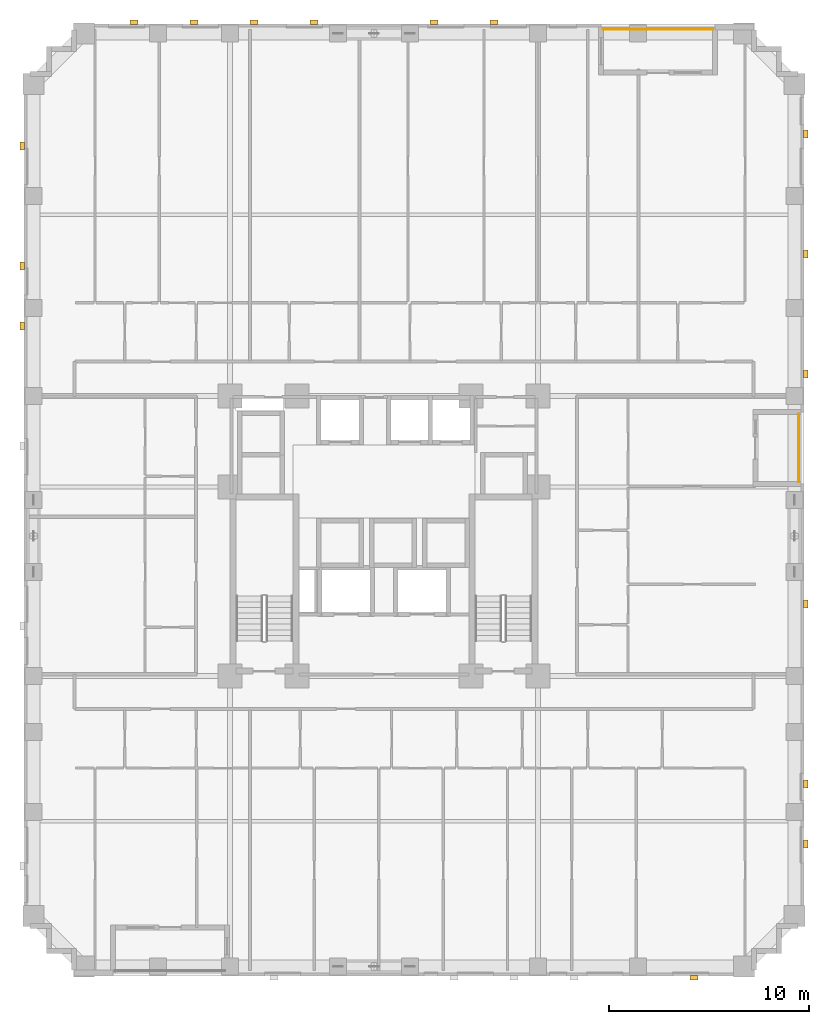
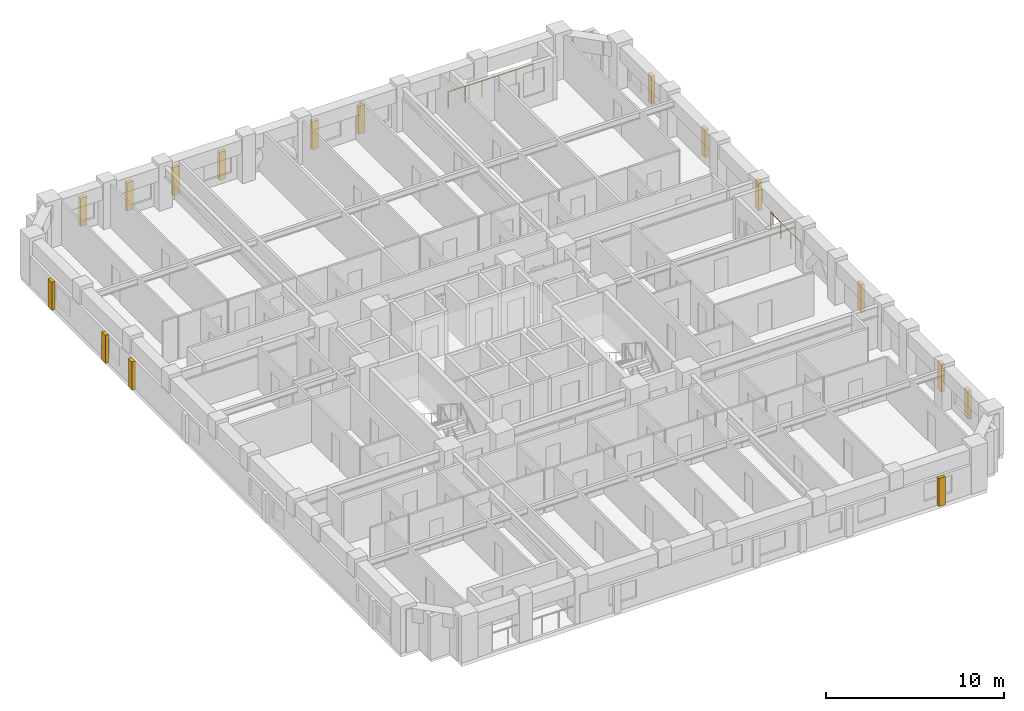
# One storey, part 14 of 14: 16 coverings, 2 railings.
"""IFC4 building model written with IfcOpenShell, lengths in metres."""

from ifc_helpers import new_model, si_unit, derived_unit, direction, frame, origin, origin_2d, place, context, subcontext, project, spatial, rectangle, circle, extrude, material, layer, layer_set, type_object, element, save


model = new_model("IFC4")

# Units and contexts
model_context = context("Model", 3, precision=1e-05, world=origin(), true_north=direction((0.0, 1.0)))
body_context = subcontext(model_context, "Body", "Model", "MODEL_VIEW")
ifc_project = project(units=[si_unit("LENGTHUNIT", "METRE"), si_unit("AREAUNIT", "SQUARE_METRE"), si_unit("VOLUMEUNIT", "CUBIC_METRE"), si_unit("PLANEANGLEUNIT", "RADIAN"), si_unit("MASSUNIT", "GRAM", prefix="KILO"), derived_unit("THERMALTRANSMITTANCEUNIT", [(si_unit("MASSUNIT", "GRAM", prefix="KILO"), 1), (si_unit("TIMEUNIT", "SECOND"), -3), (si_unit("THERMODYNAMICTEMPERATUREUNIT", "KELVIN"), -1)])], contexts=[model_context])

# Site, building, storey
site_placement = place(None, origin())
site = spatial("IfcSite", under=ifc_project, at=site_placement, CompositionType="ELEMENT")
building_placement = place(site_placement, origin())
building = spatial("IfcBuilding", under=site, at=building_placement, Name="Korrvale Station Residences", CompositionType="ELEMENT")
storey_placement = place(building_placement, frame((0.0, 0.0, 61.0)))
storey = spatial("IfcBuildingStorey", under=building, at=storey_placement, Name="L16", CompositionType="ELEMENT", Elevation=61.0)

# Coverings
ifc_material_1 = material(Name="Architectural precast concrete C45/55", Category="concrete")
ifc_layer = layer(ifc_material_1, 0.219970703125, Name="Architectural precast concrete C45/55")
ifc_layer_set = layer_set([ifc_layer], Name="Architectural precast concrete C45/55")
covering_type = type_object("IfcCoveringType", Name="COV-PIER-400", PredefinedType="CLADDING", material=ifc_layer_set)
for number, where, z_axis, x_axis, name in (
    (1, (41.0, -0.090087890625, 0.02490234375), (0.0, 0.0, 1.0), (1.0, 0.0, 0.0), "L16 Architectural Precast Facade Pier 01"),
    (2, (13.0, 47.68994140625, 0.02490234375), (0.0, 0.0, 1.0), (1.0, 0.0, 0.0), "L16 Architectural Precast Facade Pier 06"),
    (3, (16.0, 47.68994140625, 0.02490234375), (0.0, 0.0, 1.0), (1.0, 0.0, 0.0), "L16 Architectural Precast Facade Pier 07"),
    (4, (19.0, 47.68994140625, 0.02490234375), (0.0, 0.0, 1.0), (1.0, 0.0, 0.0), "L16 Architectural Precast Facade Pier 08"),
    (5, (22.0, 47.68994140625, 0.02490234375), (0.0, 0.0, 1.0), (1.0, 0.0, 0.0), "L16 Architectural Precast Facade Pier 09"),
    (6, (28.0, 47.68994140625, 0.02490234375), (0.0, 0.0, 1.0), (1.0, 0.0, 0.0), "L16 Architectural Precast Facade Pier 10"),
    (7, (31.0, 47.68994140625, 0.02490234375), (0.0, 0.0, 1.0), (1.0, 0.0, 0.0), "L16 Architectural Precast Facade Pier 11"),
    (8, (7.409912109375, 32.5, 0.02490234375), (0.0, 0.0, 1.0), (0.0, 1.0, 0.0), "L16 Architectural Precast Facade Pier 15"),
    (9, (7.409912109375, 35.5, 0.02490234375), (0.0, 0.0, 1.0), (0.0, 1.0, 0.0), "L16 Architectural Precast Facade Pier 16"),
    (10, (7.409912109375, 41.5, 0.02490234375), (0.0, 0.0, 1.0), (0.0, 1.0, 0.0), "L16 Architectural Precast Facade Pier 17"),
    (11, (46.590087890625, 42.10009765625, 0.02490234375), (0.0, 0.0, 1.0), (0.0, 1.0, 0.0), "L16 Architectural Precast Facade Pier 18"),
    (12, (46.590087890625, 36.10009765625, 0.02490234375), (0.0, 0.0, 1.0), (0.0, 1.0, 0.0), "L16 Architectural Precast Facade Pier 19"),
    (13, (46.590087890625, 30.10009765625, 0.02490234375), (0.0, 0.0, 1.0), (0.0, 1.0, 0.0), "L16 Architectural Precast Facade Pier 20"),
    (14, (46.590087890625, 18.60009765625, 0.02490234375), (0.0, 0.0, 1.0), (0.0, 1.0, 0.0), "L16 Architectural Precast Facade Pier 21"),
    (15, (46.590087890625, 9.60009765625, 0.02490234375), (0.0, 0.0, 1.0), (0.0, 1.0, 0.0), "L16 Architectural Precast Facade Pier 22"),
    (16, (46.590087890625, 6.60009765625, 0.02490234375), (0.0, 0.0, 1.0), (0.0, 1.0, 0.0), "L16 Architectural Precast Facade Pier 23"),
):
    element("IfcCovering", number, at=place(storey_placement, frame(where, z_axis=z_axis, x_axis=x_axis)), inside=storey, type_object=covering_type, Name=name, PredefinedType="CLADDING", context=body_context, shape_type="SweptSolid", body=[
        extrude(rectangle(XDim=0.419921875, YDim=0.219970703125, at=origin_2d()), origin(), (0.0, 0.0, 1.0), 1.925048828125),
    ])

# Railings
ifc_material_2 = material(Name="Powder-coated aluminium picket loggia guard", Category="aluminium")
railing_type = type_object("IfcRailingType", Name="RLG-BAL-1150", PredefinedType="GUARDRAIL", material=ifc_material_2)
railing_1_placement = place(storey_placement, frame((36.449951171875, 47.330078125, 0.0)))
element("IfcRailing", 17, at=railing_1_placement, inside=storey, type_object=railing_type, Name="L16 Recessed Loggia Guardrail BAL-L16-N1", PredefinedType="GUARDRAIL", context=body_context, shape_type="SweptSolid", body=[
    extrude(circle(Radius=0.02392578125, at=origin_2d()), frame((0.0, 0.0, 1.1259765625), z_axis=(1.0, 0.0, 0.0), x_axis=(0.0, 1.0, 0.0)), (0.0, 0.0, 1.0), 5.5),
    extrude(circle(Radius=0.02099609375, at=origin_2d()), origin(), (0.0, 0.0, 1.0), 1.101806640625),
    extrude(circle(Radius=0.02099609375, at=origin_2d()), frame((1.10009765625, 0.0, 0.0)), (0.0, 0.0, 1.0), 1.101806640625),
    extrude(circle(Radius=0.02099609375, at=origin_2d()), frame((2.199951171875, 0.0, 0.0)), (0.0, 0.0, 1.0), 1.101806640625),
    extrude(circle(Radius=0.02099609375, at=origin_2d()), frame((3.300048828125, 0.0, 0.0)), (0.0, 0.0, 1.0), 1.101806640625),
    extrude(circle(Radius=0.02099609375, at=origin_2d()), frame((4.39990234375, 0.0, 0.0)), (0.0, 0.0, 1.0), 1.101806640625),
    extrude(circle(Radius=0.02099609375, at=origin_2d()), frame((5.5, 0.0, 0.0)), (0.0, 0.0, 1.0), 1.101806640625),
])
railing_2_placement = place(storey_placement, frame((46.22998046875, 24.699951171875, 0.0)))
element("IfcRailing", 18, at=railing_2_placement, inside=storey, type_object=railing_type, Name="L16 Recessed Loggia Guardrail BAL-L16-E1", PredefinedType="GUARDRAIL", context=body_context, shape_type="SweptSolid", body=[
    extrude(circle(Radius=0.02392578125, at=origin_2d()), frame((0.0, 0.0, 1.1259765625), z_axis=(0.0, 1.0, 0.0), x_axis=(-1.0, 0.0, 0.0)), (0.0, 0.0, 1.0), 3.400146484375),
    extrude(circle(Radius=0.02099609375, at=origin_2d()), origin(), (0.0, 0.0, 1.0), 1.101806640625),
    extrude(circle(Radius=0.02099609375, at=origin_2d()), frame((0.0, 1.13330078125, 0.0)), (0.0, 0.0, 1.0), 1.101806640625),
    extrude(circle(Radius=0.02099609375, at=origin_2d()), frame((0.0, 2.266845703125, 0.0)), (0.0, 0.0, 1.0), 1.101806640625),
    extrude(circle(Radius=0.02099609375, at=origin_2d()), frame((0.0, 3.400146484375, 0.0)), (0.0, 0.0, 1.0), 1.101806640625),
])

save(model, "model.ifc")
